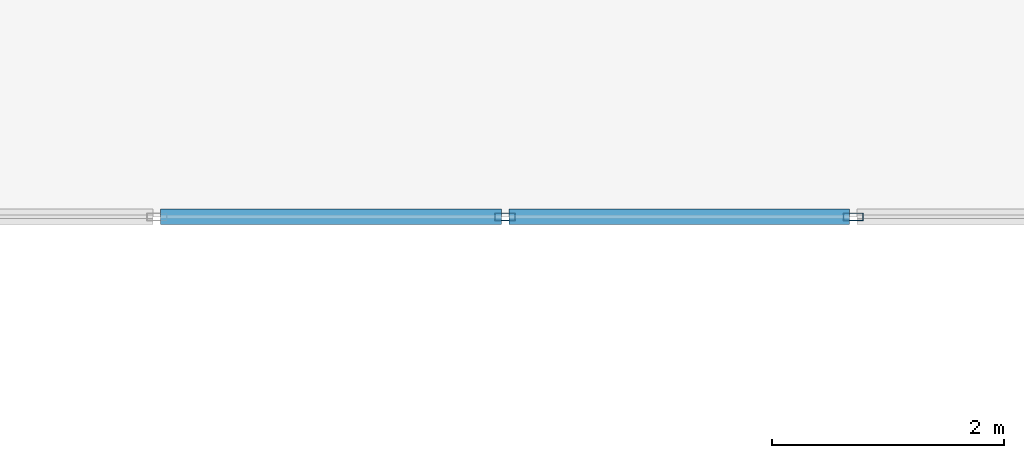
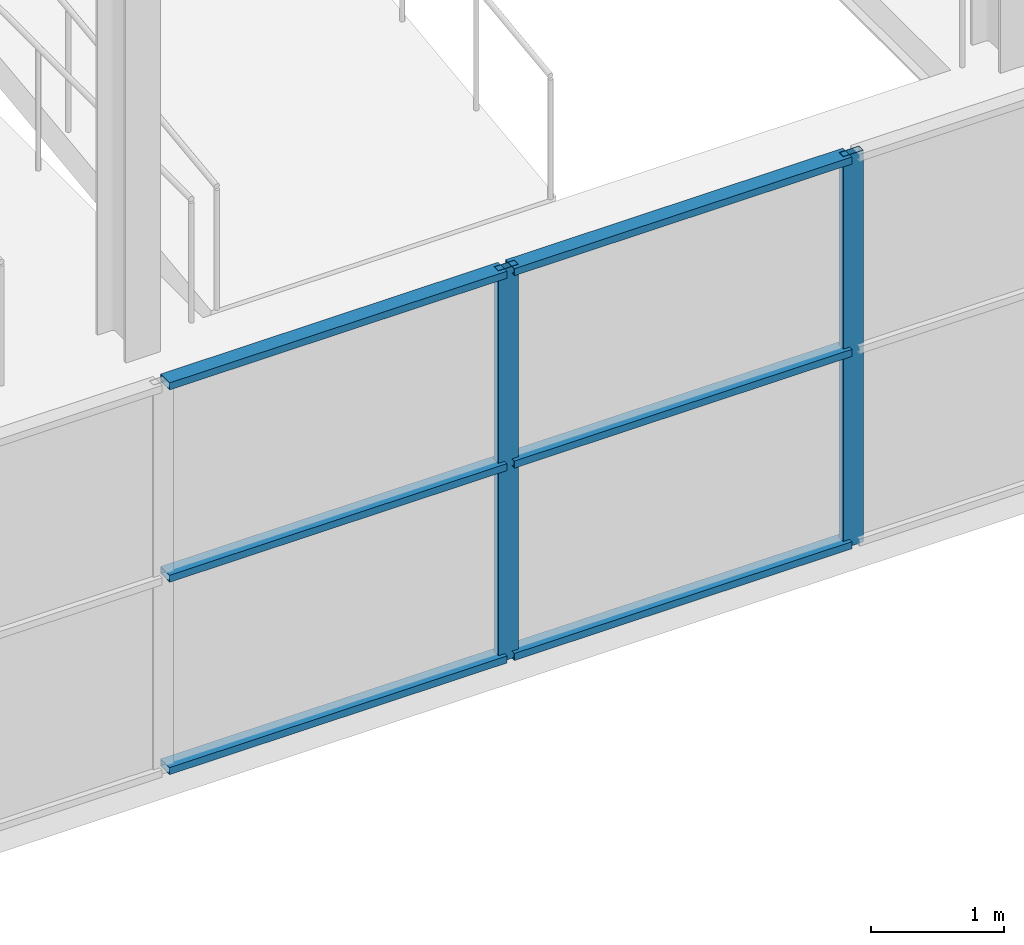
# One storey, part 55 of 132: 8 members, 1 element without a shape of its own.
"""IFC4 building model written with IfcOpenShell, lengths in metres."""

from ifc_helpers import new_model, si_unit, direction, frame, origin, origin_2d, place, context, subcontext, project, spatial, hollow_rectangle, extrude, material, layer, layer_set, material_profile, profile_set, type_object, element, aggregate, save


model = new_model("IFC4")

# Units and contexts
model_context = context("Model", 3, precision=1e-05, world=origin(), true_north=direction((0.0, 1.0)))
body_context = subcontext(model_context, "Body", "Model", "MODEL_VIEW")
ifc_project = project(units=[si_unit("LENGTHUNIT", "METRE"), si_unit("AREAUNIT", "SQUARE_METRE"), si_unit("VOLUMEUNIT", "CUBIC_METRE"), si_unit("PLANEANGLEUNIT", "RADIAN"), si_unit("MASSUNIT", "GRAM", prefix="KILO")], contexts=[model_context])

# Site, building, storey
site_placement = place(None, origin())
site = spatial("IfcSite", under=ifc_project, at=site_placement, CompositionType="ELEMENT")
building_placement = place(site_placement, origin())
building = spatial("IfcBuilding", under=site, at=building_placement, Name="Deido Ridge Mobility Hub", CompositionType="ELEMENT")
storey_placement = place(building_placement, frame((0.0, 0.0, 8.39990234375)))
storey = spatial("IfcBuildingStorey", under=building, at=storey_placement, Name="L02", CompositionType="ELEMENT", Elevation=8.39990234375)

# Curtain wall, members
ifc_material = material(Name="Anodised aluminium EN AW-6063 T6", Category="aluminium")
ifc_layer = layer(ifc_material, 0.16796875, Name="Anodised aluminium EN AW-6063 T6")
ifc_layer_set = layer_set([ifc_layer], Name="Anodised aluminium EN AW-6063 T6")
curtain_wall_type = type_object("IfcCurtainWallType", Name="CW-GS-4", PredefinedType="USERDEFINED", material=ifc_layer_set)
curtain_wall_placement = place(storey_placement, origin())
curtain_wall = element("IfcCurtainWall", 1, at=curtain_wall_placement, inside=storey, type_object=curtain_wall_type, Name="Unitised curtain wall GS4", ObjectType="GLAZED SCREEN", PredefinedType="USERDEFINED")
ifc_material_profile_1 = material_profile(ifc_material, hollow_rectangle(XDim=0.06494140625, YDim=0.175048828125, WallThickness=0.00390625, at=origin_2d()), Name="RHS 65x175x4")
ifc_profile_set_1 = profile_set([ifc_material_profile_1], Name="Anodised aluminium EN AW-6063 T6")
member_type_1 = type_object("IfcMemberType", Name="MEM-MUL-65X175", PredefinedType="MULLION", material=ifc_profile_set_1)
member_1_placement = place(storey_placement, frame((90.0, 45.0, 0.0), z_axis=(0.0, 0.0, 1.0), x_axis=(0.0, 1.0, 0.0)))
member_1 = element("IfcMember", 2, at=member_1_placement, type_object=member_type_1, Name="GS4 mullion 4", PredefinedType="MULLION", context=body_context, shape_type="SweptSolid", body=[
    extrude(hollow_rectangle(XDim=0.06494140625, YDim=0.175048828125, WallThickness=0.00390625, at=origin_2d()), origin(), (0.0, 0.0, 1.0), 3.60009765625),
])
member_2_placement = place(storey_placement, frame((92.99755859375, 45.0, 0.0), z_axis=(0.0, 0.0, 1.0), x_axis=(0.0, 1.0, 0.0)))
member_2 = element("IfcMember", 3, at=member_2_placement, type_object=member_type_1, Name="GS4 mullion 5", PredefinedType="MULLION", context=body_context, shape_type="SweptSolid", body=[
    extrude(hollow_rectangle(XDim=0.06494140625, YDim=0.175048828125, WallThickness=0.00390625, at=origin_2d()), origin(), (0.0, 0.0, 1.0), 3.60009765625),
])
ifc_material_profile_2 = material_profile(ifc_material, hollow_rectangle(XDim=0.135009765625, YDim=0.06494140625, WallThickness=0.00390625, at=origin_2d()), Name="RHS 135x65x4")
ifc_profile_set_2 = profile_set([ifc_material_profile_2], Name="Anodised aluminium EN AW-6063 T6")
member_type_2 = type_object("IfcMemberType", Name="MEM-TRN-135X65", PredefinedType="USERDEFINED", material=ifc_profile_set_2)
member_3_placement = place(storey_placement, frame((87.034912109375, 45.0, 0.03271484375), z_axis=(1.0, 0.0, 0.0), x_axis=(0.0, 1.0, 0.0)))
member_3 = element("IfcMember", 4, at=member_3_placement, type_object=member_type_2, Name="GS4 transom 3.1", ObjectType="TRANSOM", PredefinedType="USERDEFINED", context=body_context, shape_type="SweptSolid", body=[
    extrude(hollow_rectangle(XDim=0.135009765625, YDim=0.06494140625, WallThickness=0.00390625, at=origin_2d()), origin(), (0.0, 0.0, 1.0), 2.9326171875),
])
member_4_placement = place(storey_placement, frame((87.034912109375, 45.0, 1.800048828125), z_axis=(1.0, 0.0, 0.0), x_axis=(0.0, 1.0, 0.0)))
member_4 = element("IfcMember", 5, at=member_4_placement, type_object=member_type_2, Name="GS4 transom 3.2", ObjectType="TRANSOM", PredefinedType="USERDEFINED", context=body_context, shape_type="SweptSolid", body=[
    extrude(hollow_rectangle(XDim=0.135009765625, YDim=0.06494140625, WallThickness=0.00390625, at=origin_2d()), origin(), (0.0, 0.0, 1.0), 2.9326171875),
])
member_5_placement = place(storey_placement, frame((87.034912109375, 45.0, 3.567626953125), z_axis=(1.0, 0.0, 0.0), x_axis=(0.0, 1.0, 0.0)))
member_5 = element("IfcMember", 6, at=member_5_placement, type_object=member_type_2, Name="GS4 transom 3.3", ObjectType="TRANSOM", PredefinedType="USERDEFINED", context=body_context, shape_type="SweptSolid", body=[
    extrude(hollow_rectangle(XDim=0.135009765625, YDim=0.06494140625, WallThickness=0.00390625, at=origin_2d()), origin(), (0.0, 0.0, 1.0), 2.9326171875),
])
member_6_placement = place(storey_placement, frame((90.032470703125, 45.0, 0.03271484375), z_axis=(1.0, 0.0, 0.0), x_axis=(0.0, 1.0, 0.0)))
member_6 = element("IfcMember", 7, at=member_6_placement, type_object=member_type_2, Name="GS4 transom 4.1", ObjectType="TRANSOM", PredefinedType="USERDEFINED", context=body_context, shape_type="SweptSolid", body=[
    extrude(hollow_rectangle(XDim=0.135009765625, YDim=0.06494140625, WallThickness=0.00390625, at=origin_2d()), origin(), (0.0, 0.0, 1.0), 2.9326171875),
])
member_7_placement = place(storey_placement, frame((90.032470703125, 45.0, 1.800048828125), z_axis=(1.0, 0.0, 0.0), x_axis=(0.0, 1.0, 0.0)))
member_7 = element("IfcMember", 8, at=member_7_placement, type_object=member_type_2, Name="GS4 transom 4.2", ObjectType="TRANSOM", PredefinedType="USERDEFINED", context=body_context, shape_type="SweptSolid", body=[
    extrude(hollow_rectangle(XDim=0.135009765625, YDim=0.06494140625, WallThickness=0.00390625, at=origin_2d()), origin(), (0.0, 0.0, 1.0), 2.9326171875),
])
member_8_placement = place(storey_placement, frame((90.032470703125, 45.0, 3.567626953125), z_axis=(1.0, 0.0, 0.0), x_axis=(0.0, 1.0, 0.0)))
member_8 = element("IfcMember", 9, at=member_8_placement, type_object=member_type_2, Name="GS4 transom 4.3", ObjectType="TRANSOM", PredefinedType="USERDEFINED", context=body_context, shape_type="SweptSolid", body=[
    extrude(hollow_rectangle(XDim=0.135009765625, YDim=0.06494140625, WallThickness=0.00390625, at=origin_2d()), origin(), (0.0, 0.0, 1.0), 2.9326171875),
])
aggregate(curtain_wall, [member_1, member_2, member_3, member_4, member_5, member_6, member_7, member_8])

save(model, "model.ifc")
